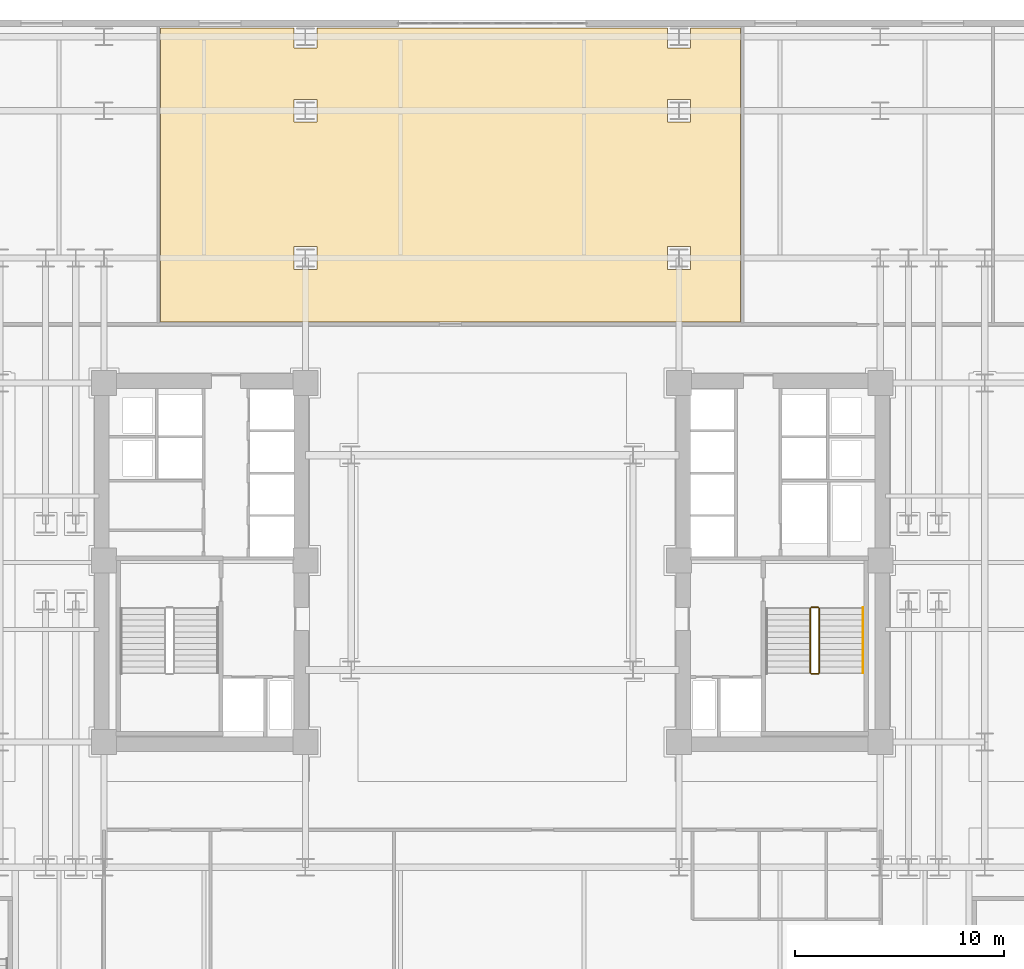
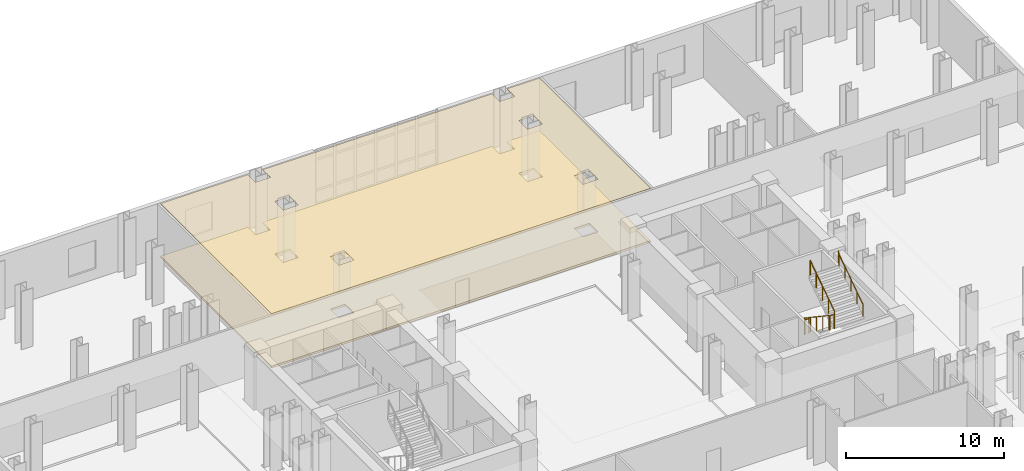
# One storey, part 14 of 15: 5 railings, 2 coverings.
"""IFC4 building model written with IfcOpenShell, lengths in metres."""

from ifc_helpers import new_model, si_unit, direction, frame, origin, origin_2d, place, context, subcontext, project, spatial, polyline, circle, outline, extrude, material, layer, layer_set, type_object, element, save


model = new_model("IFC4")

# Units and contexts
model_context = context("Model", 3, precision=1e-05, world=origin(), true_north=direction((0.0, 1.0)))
body_context = subcontext(model_context, "Body", "Model", "MODEL_VIEW")
ifc_project = project(units=[si_unit("LENGTHUNIT", "METRE"), si_unit("AREAUNIT", "SQUARE_METRE"), si_unit("VOLUMEUNIT", "CUBIC_METRE"), si_unit("PLANEANGLEUNIT", "RADIAN"), si_unit("MASSUNIT", "GRAM", prefix="KILO")], contexts=[model_context])

# Site, building, storey
site_placement = place(None, origin())
site = spatial("IfcSite", under=ifc_project, at=site_placement, CompositionType="ELEMENT")
building_placement = place(site_placement, origin())
building = spatial("IfcBuilding", under=site, at=building_placement, Name="Velakula Bourse", CompositionType="ELEMENT")
storey_placement = place(building_placement, frame((0.0, 0.0, 14.10009765625)))
storey = spatial("IfcBuildingStorey", under=building, at=storey_placement, Name="L03", CompositionType="ELEMENT", Elevation=14.10009765625)

# Coverings
ifc_material_1 = material(Name="Mineral-fibre acoustic suspended ceiling tile", Category="mineral")
ifc_layer_1 = layer(ifc_material_1, 0.0400390625, Name="Mineral-fibre acoustic suspended ceiling tile", Category="mineral")
ifc_layer_set_1 = layer_set([ifc_layer_1], Name="Mineral-fibre acoustic suspended ceiling tile")
covering_type_1 = type_object("IfcCoveringType", Name="COV-CEIL-AC-40", PredefinedType="CEILING", material=ifc_layer_set_1)
covering_1_placement = place(storey_placement, frame((0.0, 0.0, 4.179931640625)))
element("IfcCovering", 1, at=covering_1_placement, inside=storey, type_object=covering_type_1, Name="L03 Opening-Bell Broadcast Studio Acoustic Suspended Ceiling", PredefinedType="CEILING", context=body_context, shape_type="SweptSolid", body=[
    extrude(outline(polyline([(-15.889892578125, 25.6201171875), (-9.4951171875, 25.6201171875), (-9.4951171875, 24.655029296875), (-8.405029296875, 24.655029296875), (-8.405029296875, 25.6201171875), (8.405029296875, 25.6201171875), (8.405029296875, 24.655029296875), (9.4951171875, 24.655029296875), (9.4951171875, 25.6201171875), (11.889892578125, 25.6201171875), (11.889892578125, 11.530029296875), (-15.889892578125, 11.530029296875), (-15.889892578125, 25.6201171875)]), holes=[polyline([(-9.4951171875, 15.14501953125), (-9.4951171875, 14.054931640625), (-8.405029296875, 14.054931640625), (-8.405029296875, 15.14501953125), (-9.4951171875, 15.14501953125)]), polyline([(-9.4951171875, 22.195068359375), (-9.4951171875, 21.10498046875), (-8.405029296875, 21.10498046875), (-8.405029296875, 22.195068359375), (-9.4951171875, 22.195068359375)]), polyline([(8.405029296875, 15.14501953125), (8.405029296875, 14.054931640625), (9.4951171875, 14.054931640625), (9.4951171875, 15.14501953125), (8.405029296875, 15.14501953125)]), polyline([(8.405029296875, 22.195068359375), (8.405029296875, 21.10498046875), (9.4951171875, 21.10498046875), (9.4951171875, 22.195068359375), (8.405029296875, 22.195068359375)])]), origin(), (0.0, 0.0, 1.0), 0.0400390625),
])
ifc_material_2 = material(Name="Calcium-sulphate antistatic raised access flooring", Category="gypsum")
ifc_layer_2 = layer(ifc_material_2, 0.14990234375, Name="Calcium-sulphate antistatic raised access flooring", Category="gypsum")
ifc_layer_set_2 = layer_set([ifc_layer_2], Name="Calcium-sulphate antistatic raised access flooring")
covering_type_2 = type_object("IfcCoveringType", Name="COV-FLR-RAISED-150", PredefinedType="FLOORING", material=ifc_layer_set_2)
covering_2_placement = place(storey_placement, origin())
element("IfcCovering", 2, at=covering_2_placement, inside=storey, type_object=covering_type_2, Name="L03 Opening-Bell Broadcast Studio Raised Trading Access Floor", PredefinedType="FLOORING", context=body_context, shape_type="SweptSolid", body=[
    extrude(outline(polyline([(-15.889892578125, 25.6201171875), (-9.4951171875, 25.6201171875), (-9.4951171875, 24.655029296875), (-8.405029296875, 24.655029296875), (-8.405029296875, 25.6201171875), (8.405029296875, 25.6201171875), (8.405029296875, 24.655029296875), (9.4951171875, 24.655029296875), (9.4951171875, 25.6201171875), (11.889892578125, 25.6201171875), (11.889892578125, 11.530029296875), (-15.889892578125, 11.530029296875), (-15.889892578125, 25.6201171875)]), holes=[polyline([(-9.4951171875, 15.14501953125), (-9.4951171875, 14.054931640625), (-8.405029296875, 14.054931640625), (-8.405029296875, 15.14501953125), (-9.4951171875, 15.14501953125)]), polyline([(-9.4951171875, 22.195068359375), (-9.4951171875, 21.10498046875), (-8.405029296875, 21.10498046875), (-8.405029296875, 22.195068359375), (-9.4951171875, 22.195068359375)]), polyline([(8.405029296875, 15.14501953125), (8.405029296875, 14.054931640625), (9.4951171875, 14.054931640625), (9.4951171875, 15.14501953125), (8.405029296875, 15.14501953125)]), polyline([(8.405029296875, 22.195068359375), (8.405029296875, 21.10498046875), (9.4951171875, 21.10498046875), (9.4951171875, 22.195068359375), (8.405029296875, 22.195068359375)])]), origin(), (0.0, 0.0, 1.0), 0.14990234375),
])

# Railings
ifc_material_3 = material(Name="Brushed grade 316 stainless steel", Category="steel")
railing_type_1 = type_object("IfcRailingType", Name="RLG-STAIR-GUARD-1150", PredefinedType="BALUSTRADE", material=ifc_material_3)
railing_1_placement = place(storey_placement, frame((15.248046875, -2.199951171875, 0.1875)))
element("IfcRailing", 3, at=railing_1_placement, inside=storey, type_object=railing_type_1, Name="L03 ST-E1 stair guard 1", PredefinedType="BALUSTRADE", context=body_context, shape_type="SweptSolid", body=[
    extrude(circle(Radius=0.02490234375, at=origin_2d()), frame((0.0, 0.0, 1.125), z_axis=(0.0, -0.830913701846, 0.55640131208), x_axis=(1.0, 0.0, 0.0)), (0.0, 0.0, 1.0), 3.706787109375),
    extrude(circle(Radius=0.02099609375, at=origin_2d()), origin(), (0.0, 0.0, 1.0), 1.099853515625),
    extrude(circle(Radius=0.02099609375, at=origin_2d()), frame((0.0, -0.77001953125, 0.515625)), (0.0, 0.0, 1.0), 1.099853515625),
    extrude(circle(Radius=0.02099609375, at=origin_2d()), frame((0.0, -1.5400390625, 1.03125)), (0.0, 0.0, 1.0), 1.099853515625),
    extrude(circle(Radius=0.02099609375, at=origin_2d()), frame((0.0, -2.31005859375, 1.546875)), (0.0, 0.0, 1.0), 1.099853515625),
    extrude(circle(Radius=0.02099609375, at=origin_2d()), frame((0.0, -3.080078125, 2.0625)), (0.0, 0.0, 1.0), 1.099853515625),
])
railing_2_placement = place(storey_placement, frame((15.298095703125, -5.330078125, 2.25)))
element("IfcRailing", 4, at=railing_2_placement, inside=storey, type_object=railing_type_1, Name="L03 ST-E1 stair guard 2", PredefinedType="BALUSTRADE", context=body_context, shape_type="SweptSolid", body=[
    extrude(circle(Radius=0.02490234375, at=origin_2d()), frame((0.0, 0.0, 1.125), z_axis=(1.0, 0.0, 0.0), x_axis=(0.0, 1.0, 0.0)), (0.0, 0.0, 1.0), 0.323974609375),
    extrude(circle(Radius=0.02099609375, at=origin_2d()), origin(), (0.0, 0.0, 1.0), 1.099853515625),
    extrude(circle(Radius=0.02099609375, at=origin_2d()), frame((0.323974609375, 0.0, 0.0)), (0.0, 0.0, 1.0), 1.099853515625),
])
railing_3_placement = place(storey_placement, frame((15.672119140625, -5.280029296875, 2.4375)))
element("IfcRailing", 5, at=railing_3_placement, inside=storey, type_object=railing_type_1, Name="L03 ST-E1 stair guard 3", PredefinedType="BALUSTRADE", context=body_context, shape_type="SweptSolid", body=[
    extrude(circle(Radius=0.02490234375, at=origin_2d()), frame((0.0, 0.0, 1.125), z_axis=(0.0, 0.830913701846, 0.55640131208), x_axis=(-1.0, 0.0, 0.0)), (0.0, 0.0, 1.0), 3.706787109375),
    extrude(circle(Radius=0.02099609375, at=origin_2d()), origin(), (0.0, 0.0, 1.0), 1.099853515625),
    extrude(circle(Radius=0.02099609375, at=origin_2d()), frame((0.0, 0.77001953125, 0.515625)), (0.0, 0.0, 1.0), 1.099853515625),
    extrude(circle(Radius=0.02099609375, at=origin_2d()), frame((0.0, 1.5400390625, 1.03125)), (0.0, 0.0, 1.0), 1.099853515625),
    extrude(circle(Radius=0.02099609375, at=origin_2d()), frame((0.0, 2.31005859375, 1.546875)), (0.0, 0.0, 1.0), 1.099853515625),
    extrude(circle(Radius=0.02099609375, at=origin_2d()), frame((0.0, 3.080078125, 2.0625)), (0.0, 0.0, 1.0), 1.099853515625),
])
railing_4_placement = place(storey_placement, frame((15.298095703125, -2.14990234375, 0.0)))
element("IfcRailing", 6, at=railing_4_placement, inside=storey, type_object=railing_type_1, Name="L03 ST-E1 stair guard 4", PredefinedType="BALUSTRADE", context=body_context, shape_type="SweptSolid", body=[
    extrude(circle(Radius=0.02490234375, at=origin_2d()), frame((0.0, 0.0, 1.125), z_axis=(1.0, 0.0, 0.0), x_axis=(0.0, 1.0, 0.0)), (0.0, 0.0, 1.0), 0.323974609375),
    extrude(circle(Radius=0.02099609375, at=origin_2d()), origin(), (0.0, 0.0, 1.0), 1.099853515625),
    extrude(circle(Radius=0.02099609375, at=origin_2d()), frame((0.323974609375, 0.0, 0.0)), (0.0, 0.0, 1.0), 1.099853515625),
])
railing_type_2 = type_object("IfcRailingType", Name="RLG-STAIR-HAND-920", PredefinedType="HANDRAIL", material=ifc_material_3)
railing_5_placement = place(storey_placement, frame((17.77001953125, -5.280029296875, 2.4375)))
element("IfcRailing", 7, at=railing_5_placement, inside=storey, type_object=railing_type_2, Name="L03 ST-E1 stair handrail 2", PredefinedType="HANDRAIL", context=body_context, shape_type="SweptSolid", body=[
    extrude(circle(Radius=0.02099609375, at=origin_2d()), frame((0.0, 0.0, 0.89892578125), z_axis=(0.0, 0.830913701846, 0.55640131208), x_axis=(-1.0, 0.0, 0.0)), (0.0, 0.0, 1.0), 3.706787109375),
    extrude(circle(Radius=0.02099609375, at=origin_2d()), frame((0.0, 3.080078125, 2.96142578125), z_axis=(0.0, 0.208833338674, 0.97795124452), x_axis=(-1.0, 0.0, 0.0)), (0.0, 0.0, 1.0), 0.191650390625),
    extrude(circle(Radius=0.02099609375, at=origin_2d()), frame((0.0, 3.1201171875, 3.14892578125), z_axis=(0.0, 1.0, 0.0), x_axis=(-1.0, 0.0, 0.0)), (0.0, 0.0, 1.0), 0.0048828125),
    extrude(circle(Radius=0.02099609375, at=origin_2d()), origin(), (0.0, 0.0, 1.0), 0.8779296875),
    extrude(circle(Radius=0.02099609375, at=origin_2d()), frame((0.0, 0.77001953125, 0.515625)), (0.0, 0.0, 1.0), 0.8779296875),
    extrude(circle(Radius=0.02099609375, at=origin_2d()), frame((0.0, 1.5400390625, 1.03125)), (0.0, 0.0, 1.0), 0.8779296875),
    extrude(circle(Radius=0.02099609375, at=origin_2d()), frame((0.0, 2.31005859375, 1.546875)), (0.0, 0.0, 1.0), 0.8779296875),
    extrude(circle(Radius=0.02099609375, at=origin_2d()), frame((0.0, 3.080078125, 2.0625)), (0.0, 0.0, 1.0), 0.8779296875),
    extrude(circle(Radius=0.02099609375, at=origin_2d()), frame((0.0, 3.1201171875, 2.25)), (0.0, 0.0, 1.0), 0.8779296875),
    extrude(circle(Radius=0.02099609375, at=origin_2d()), frame((0.0, 3.125, 2.25)), (0.0, 0.0, 1.0), 0.8779296875),
])

save(model, "model.ifc")
